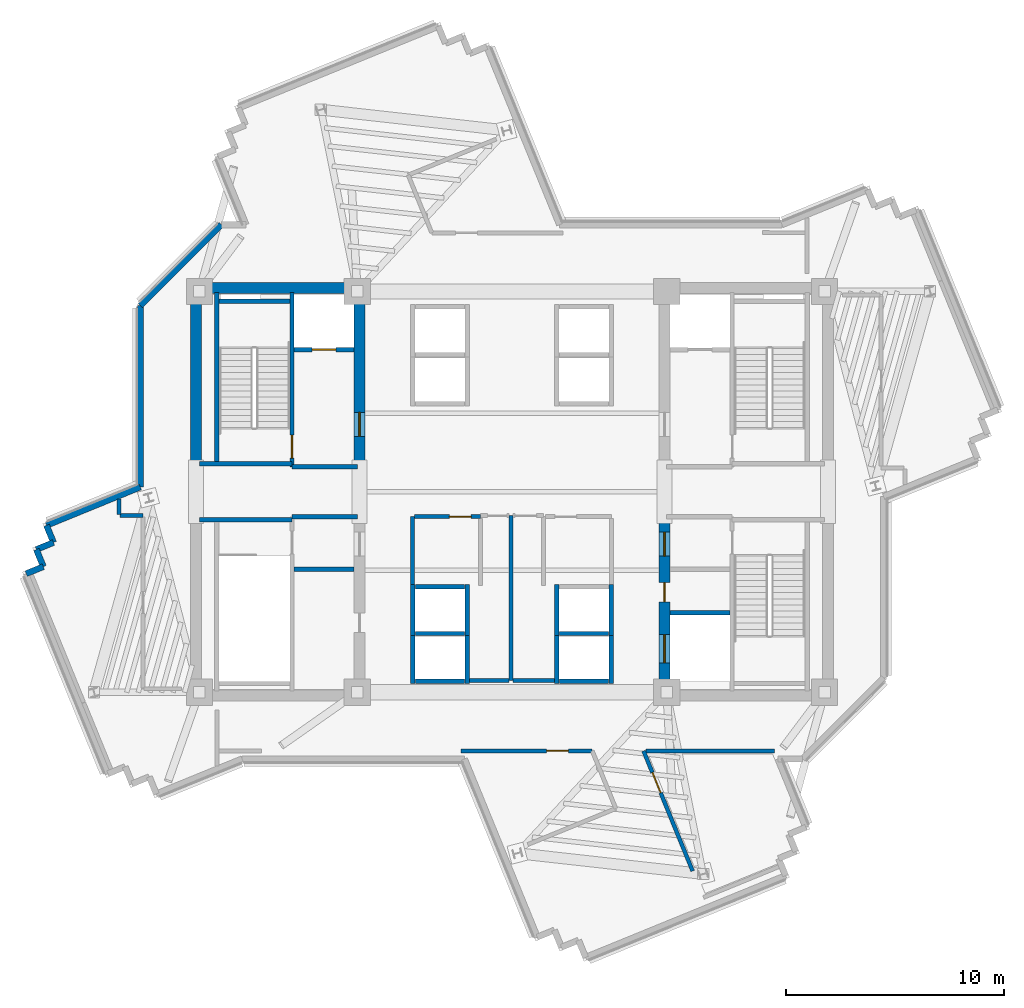
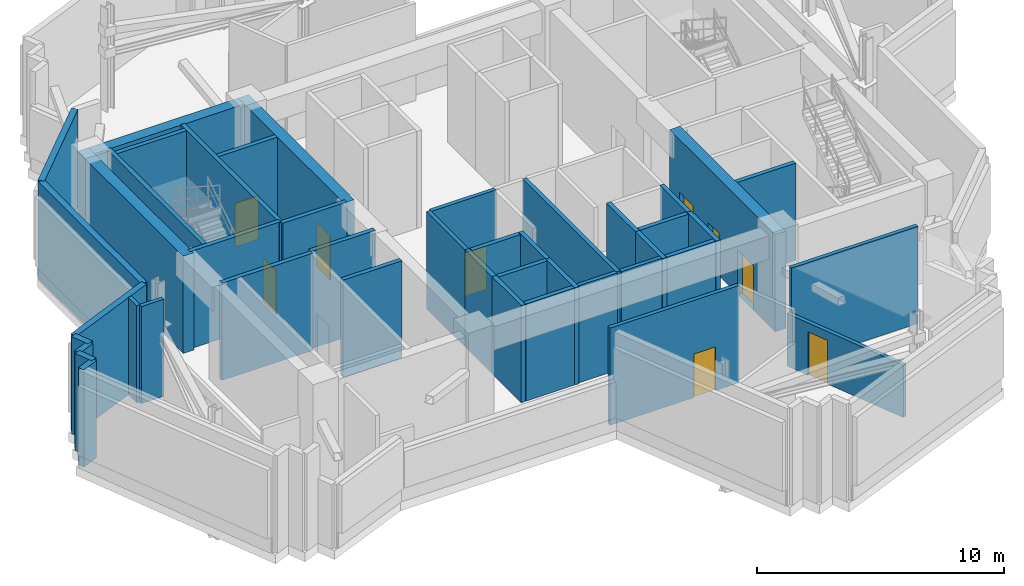
# One storey, part 4 of 11: 44 walls, 9 doors, 9 openings.
"""IFC4 building model written with IfcOpenShell, lengths in metres."""

from ifc_helpers import new_model, si_unit, direction, frame, frame_2d, origin, place, context, subcontext, project, spatial, rectangle, extrude, source, transform, mapped, material, layer, layer_set, type_object, element, fill, save


model = new_model("IFC4")

# Units and contexts
model_context = context("Model", 3, precision=1e-05, world=origin(), true_north=direction((0.0, 1.0)))
body_context = subcontext(model_context, "Body", "Model", "MODEL_VIEW")
ifc_project = project(units=[si_unit("LENGTHUNIT", "METRE"), si_unit("AREAUNIT", "SQUARE_METRE"), si_unit("VOLUMEUNIT", "CUBIC_METRE"), si_unit("PLANEANGLEUNIT", "RADIAN"), si_unit("MASSUNIT", "GRAM", prefix="KILO")], contexts=[model_context])

# Site, building, storey
site_placement = place(None, origin())
site = spatial("IfcSite", under=ifc_project, at=site_placement, CompositionType="ELEMENT")
building_placement = place(site_placement, origin())
building = spatial("IfcBuilding", under=site, at=building_placement, Name="Zahravan Cultural Tower", CompositionType="ELEMENT")
storey_placement = place(building_placement, frame((0.0, 0.0, 229.199951171875)))
storey = spatial("IfcBuildingStorey", under=building, at=storey_placement, Name="L54", CompositionType="ELEMENT", Elevation=229.199951171875)

# Wall, opening, door
ifc_material_1 = material(Name="Concrete C60/75", Category="concrete")
ifc_layer_1 = layer(ifc_material_1, 0.5)
ifc_layer_set_1 = layer_set([ifc_layer_1], Name="Concrete C60/75")
wall_type_1 = type_object("IfcWallType", Name="CW-SHEAR-500-C60", PredefinedType="SHEAR", material=ifc_layer_set_1)
wall_1_placement = place(storey_placement, frame((29.0, 28.050048828125, 0.0), z_axis=(0.0, 0.0, 1.0), x_axis=(0.0, 1.0, 0.0)))
wall_1 = element("IfcWall", 1, at=wall_1_placement, inside=storey, type_object=wall_type_1, Name="L54 Core Shear Wall CW-W-EN-L54", PredefinedType="SHEAR", context=body_context, shape_type="SweptSolid", body=[
    extrude(rectangle(XDim=8.550048828125, YDim=0.5, at=frame_2d((4.27490234375, 0.0))), origin(), (0.0, 0.0, 1.0), 4.800048828125),
])
opening_1_placement = place(wall_1_placement, frame((1.5, 0.0, 0.0)))
opening_1 = element("IfcOpeningElement", 2, at=opening_1_placement, cuts=wall_1, Name="Opening D-L54-05", PredefinedType="OPENING", context=body_context, shape_type="SweptSolid", body=[
    extrude(rectangle(XDim=1.10009765625, YDim=2.199951171875, at=frame_2d((0.550048828125, 1.10009765625))), frame((0.0, 0.260009765625, 0.0), z_axis=(0.0, -1.0, 0.0), x_axis=(1.0, 0.0, 0.0)), (0.0, 0.0, 1.0), 0.52001953125),
])
ifc_material_2 = material(Name="Steel ASTM A572 Grade 50", Category="steel")
door_type_1 = type_object("IfcDoorType", Name="DR-LOBBY-1100", OperationType="NOTDEFINED", PredefinedType="DOOR", material=ifc_material_2)
shared_shape_1 = source(origin(), body_context, "Body", "SweptSolid", [
    extrude(rectangle(XDim=1.10009765625, YDim=2.199951171875, at=frame_2d((0.550048828125, 1.10009765625))), frame((0.0, 0.02490234375, 0.0), z_axis=(0.0, -1.0, 0.0), x_axis=(1.0, 0.0, 0.0)), (0.0, 0.0, 1.0), 0.050048828125),
])
door_1_placement = place(opening_1_placement, origin())
door_1 = element("IfcDoor", 3, at=door_1_placement, inside=storey, type_object=door_type_1, Name="L54 Door D-L54-05", OperationType="SINGLE_SWING_RIGHT", OverallHeight=2.199951171875, OverallWidth=1.10009765625, PredefinedType="DOOR", context=body_context, shape_type="MappedRepresentation", body=[
    mapped(shared_shape_1, transform((0.0, 0.0, 0.0), x_axis=(1.0, 0.0, 0.0), y_axis=(0.0, 1.0, 0.0), z_axis=(0.0, 0.0, 1.0), scale=1.0)),
])
fill(opening_1, door_1)

# Wall, openings, doors
wall_2_placement = place(storey_placement, frame((43.0, 17.39990234375, 0.0), z_axis=(0.0, 0.0, 1.0), x_axis=(0.0, 1.0, 0.0)))
wall_2 = element("IfcWall", 4, at=wall_2_placement, inside=storey, type_object=wall_type_1, Name="L54 Core Shear Wall CW-E-WS-L54", PredefinedType="SHEAR", context=body_context, shape_type="SweptSolid", body=[
    extrude(rectangle(XDim=8.550048828125, YDim=0.5, at=frame_2d((4.27490234375, 0.0))), origin(), (0.0, 0.0, 1.0), 4.800048828125),
])
opening_2_placement = place(wall_2_placement, frame((6.64990234375, 0.0, 0.0)))
opening_2 = element("IfcOpeningElement", 5, at=opening_2_placement, cuts=wall_2, Name="Opening D-L54-08", PredefinedType="OPENING", context=body_context, shape_type="SweptSolid", body=[
    extrude(rectangle(XDim=1.10009765625, YDim=2.199951171875, at=frame_2d((0.550048828125, 1.10009765625))), frame((0.0, 0.260009765625, 0.0), z_axis=(0.0, -1.0, 0.0), x_axis=(1.0, 0.0, 0.0)), (0.0, 0.0, 1.0), 0.52001953125),
])
opening_3_placement = place(wall_2_placement, frame((1.75, 0.0, 0.0)))
opening_3 = element("IfcOpeningElement", 6, at=opening_3_placement, cuts=wall_2, Name="Opening LD-L54-03", PredefinedType="OPENING", context=body_context, shape_type="SweptSolid", body=[
    extrude(rectangle(XDim=1.300048828125, YDim=2.199951171875, at=frame_2d((0.64990234375, 1.10009765625))), frame((0.0, 0.260009765625, 0.0), z_axis=(0.0, -1.0, 0.0), x_axis=(1.0, 0.0, 0.0)), (0.0, 0.0, 1.0), 0.52001953125),
])
opening_4_placement = place(wall_2_placement, frame((4.550048828125, 0.0, 0.0)))
opening_4 = element("IfcOpeningElement", 7, at=opening_4_placement, cuts=wall_2, Name="Opening D-L54-10", PredefinedType="OPENING", context=body_context, shape_type="SweptSolid", body=[
    extrude(rectangle(XDim=0.8798828125, YDim=2.10009765625, at=frame_2d((0.43994140625, 1.050048828125))), frame((0.0, 0.260009765625, 0.0), z_axis=(0.0, -1.0, 0.0), x_axis=(1.0, 0.0, 0.0)), (0.0, 0.0, 1.0), 0.52001953125),
])
door_2_placement = place(opening_2_placement, origin())
door_2 = element("IfcDoor", 8, at=door_2_placement, inside=storey, type_object=door_type_1, Name="L54 Door D-L54-08", OperationType="SINGLE_SWING_LEFT", OverallHeight=2.199951171875, OverallWidth=1.10009765625, PredefinedType="DOOR", context=body_context, shape_type="MappedRepresentation", body=[
    mapped(shared_shape_1, transform((0.0, 0.0, 0.0), x_axis=(1.0, 0.0, 0.0), y_axis=(0.0, 1.0, 0.0), z_axis=(0.0, 0.0, 1.0), scale=1.0)),
])
fill(opening_2, door_2)
door_type_2 = type_object("IfcDoorType", Name="DR-LIFT-1300", OperationType="DOUBLE_DOOR_SLIDING", PredefinedType="DOOR", material=ifc_material_2)
shared_shape_2 = source(origin(), body_context, "Body", "SweptSolid", [
    extrude(rectangle(XDim=1.300048828125, YDim=2.199951171875, at=frame_2d((0.64990234375, 1.10009765625))), frame((0.0, 0.02490234375, 0.0), z_axis=(0.0, -1.0, 0.0), x_axis=(1.0, 0.0, 0.0)), (0.0, 0.0, 1.0), 0.050048828125),
])
door_3_placement = place(opening_3_placement, origin())
door_3 = element("IfcDoor", 9, at=door_3_placement, inside=storey, type_object=door_type_2, Name="L54 Door LD-L54-03", OperationType="DOUBLE_DOOR_SLIDING", OverallHeight=2.199951171875, OverallWidth=1.300048828125, PredefinedType="DOOR", context=body_context, shape_type="MappedRepresentation", body=[
    mapped(shared_shape_2, transform((0.0, 0.0, 0.0), x_axis=(1.0, 0.0, 0.0), y_axis=(0.0, 1.0, 0.0), z_axis=(0.0, 0.0, 1.0), scale=1.0)),
])
fill(opening_3, door_3)
door_type_3 = type_object("IfcDoorType", Name="DR-SVC-880", OperationType="NOTDEFINED", PredefinedType="DOOR", material=ifc_material_2)
shared_shape_3 = source(origin(), body_context, "Body", "SweptSolid", [
    extrude(rectangle(XDim=0.8798828125, YDim=2.10009765625, at=frame_2d((0.43994140625, 1.050048828125))), frame((0.0, 0.02490234375, 0.0), z_axis=(0.0, -1.0, 0.0), x_axis=(1.0, 0.0, 0.0)), (0.0, 0.0, 1.0), 0.050048828125),
])
door_4_placement = place(opening_4_placement, origin())
door_4 = element("IfcDoor", 10, at=door_4_placement, inside=storey, type_object=door_type_3, Name="L54 Door D-L54-10", OperationType="SINGLE_SWING_LEFT", OverallHeight=2.10009765625, OverallWidth=0.8798828125, PredefinedType="DOOR", context=body_context, shape_type="MappedRepresentation", body=[
    mapped(shared_shape_3, transform((0.0, 0.0, 0.0), x_axis=(1.0, 0.0, 0.0), y_axis=(0.0, 1.0, 0.0), z_axis=(0.0, 0.0, 1.0), scale=1.0)),
])
fill(opening_4, door_4)

# Wall, opening, door
ifc_material_3 = material(Name="Gypsum plasterboard partition")
ifc_layer_2 = layer(ifc_material_3, 0.179931640625)
ifc_layer_set_2 = layer_set([ifc_layer_2], Name="Gypsum plasterboard partition")
wall_type_2 = type_object("IfcWallType", Name="W-COMP-180", PredefinedType="PARTITIONING", material=ifc_layer_set_2)
wall_3_placement = place(storey_placement, frame((31.534912109375, 25.860107421875, 0.0), z_axis=(0.0, 0.0, 1.0), x_axis=(1.0, 0.0, 0.0)))
wall_3 = element("IfcWall", 11, at=wall_3_placement, inside=storey, type_object=wall_type_2, Name="L54 Interior Wall 055", PredefinedType="PARTITIONING", context=body_context, shape_type="SweptSolid", body=[
    extrude(rectangle(XDim=3.025146484375, YDim=0.179931640625, at=frame_2d((1.5126953125, 0.0))), origin(), (0.0, 0.0, 1.0), 4.800048828125),
])
opening_5_placement = place(wall_3_placement, frame((1.593505859375, 0.0, 0.0)))
opening_5 = element("IfcOpeningElement", 12, at=opening_5_placement, cuts=wall_3, Name="Opening D-L54-11", PredefinedType="OPENING", context=body_context, shape_type="SweptSolid", body=[
    extrude(rectangle(XDim=1.0, YDim=2.14990234375, at=frame_2d((0.5, 1.074951171875))), frame((0.0, 0.099853515625, 0.0), z_axis=(0.0, -1.0, 0.0), x_axis=(1.0, 0.0, 0.0)), (0.0, 0.0, 1.0), 0.199951171875),
])
door_type_4 = type_object("IfcDoorType", Name="DR-COMP-1000", OperationType="NOTDEFINED", PredefinedType="DOOR", material=ifc_material_2)
shared_shape_4 = source(origin(), body_context, "Body", "SweptSolid", [
    extrude(rectangle(XDim=1.0, YDim=2.14990234375, at=frame_2d((0.5, 1.074951171875))), frame((0.0, 0.02490234375, 0.0), z_axis=(0.0, -1.0, 0.0), x_axis=(1.0, 0.0, 0.0)), (0.0, 0.0, 1.0), 0.050048828125),
])
door_5_placement = place(opening_5_placement, origin())
door_5 = element("IfcDoor", 13, at=door_5_placement, inside=storey, type_object=door_type_4, Name="L54 Door D-L54-11", OperationType="SINGLE_SWING_RIGHT", OverallHeight=2.14990234375, OverallWidth=1.0, PredefinedType="DOOR", context=body_context, shape_type="MappedRepresentation", body=[
    mapped(shared_shape_4, transform((0.0, 0.0, 0.0), x_axis=(1.0, 0.0, 0.0), y_axis=(0.0, 1.0, 0.0), z_axis=(0.0, 0.0, 1.0), scale=1.0)),
])
fill(opening_5, door_5)

wall_4_placement = place(storey_placement, frame((33.665283203125, 15.110107421875, 0.0), z_axis=(0.0, 0.0, 1.0), x_axis=(1.0, 0.0, 0.0)))
wall_4 = element("IfcWall", 14, at=wall_4_placement, inside=storey, type_object=wall_type_2, Name="L54 Interior Wall 069", PredefinedType="PARTITIONING", context=body_context, shape_type="SweptSolid", body=[
    extrude(rectangle(XDim=6.017333984375, YDim=0.179931640625, at=frame_2d((3.0087890625, 0.0))), origin(), (0.0, 0.0, 1.0), 4.800048828125),
])
opening_6_placement = place(wall_4_placement, frame((3.927490234375, 0.0, 0.0)))
opening_6 = element("IfcOpeningElement", 15, at=opening_6_placement, cuts=wall_4, Name="Opening D-L54-17", PredefinedType="OPENING", context=body_context, shape_type="SweptSolid", body=[
    extrude(rectangle(XDim=1.0, YDim=2.14990234375, at=frame_2d((0.5, 1.074951171875))), frame((0.0, 0.099853515625, 0.0), z_axis=(0.0, -1.0, 0.0), x_axis=(1.0, 0.0, 0.0)), (0.0, 0.0, 1.0), 0.199951171875),
])
door_6_placement = place(opening_6_placement, origin())
door_6 = element("IfcDoor", 16, at=door_6_placement, inside=storey, type_object=door_type_4, Name="L54 Door D-L54-17", OperationType="SINGLE_SWING_RIGHT", OverallHeight=2.14990234375, OverallWidth=1.0, PredefinedType="DOOR", context=body_context, shape_type="MappedRepresentation", body=[
    mapped(shared_shape_4, transform((0.0, 0.0, 0.0), x_axis=(1.0, 0.0, 0.0), y_axis=(0.0, 1.0, 0.0), z_axis=(0.0, 0.0, 1.0), scale=1.0)),
])
fill(opening_6, door_6)

wall_5_placement = place(storey_placement, frame((44.2919921875, 9.595703125, 0.0), z_axis=(0.0, 0.0, 1.0), x_axis=(-0.378382300623, 0.925649412345, 0.0)))
wall_5 = element("IfcWall", 17, at=wall_5_placement, inside=storey, type_object=wall_type_2, Name="L54 Interior Wall 072", PredefinedType="PARTITIONING", context=body_context, shape_type="SweptSolid", body=[
    extrude(rectangle(XDim=5.957275390625, YDim=0.179931640625, at=frame_2d((2.978515625, 0.0))), origin(), (0.0, 0.0, 1.0), 2.592041015625),
])
opening_7_placement = place(wall_5_placement, frame((3.880615234375, 0.0, 0.0)))
opening_7 = element("IfcOpeningElement", 18, at=opening_7_placement, cuts=wall_5, Name="Opening D-L54-13", PredefinedType="OPENING", context=body_context, shape_type="SweptSolid", body=[
    extrude(rectangle(XDim=1.0, YDim=2.14990234375, at=frame_2d((0.5, 1.074951171875))), frame((0.0, 0.099853515625, 0.0), z_axis=(0.0, -1.0, 0.0), x_axis=(1.0, 0.0, 0.0)), (0.0, 0.0, 1.0), 0.199951171875),
])
door_7_placement = place(opening_7_placement, origin())
door_7 = element("IfcDoor", 19, at=door_7_placement, inside=storey, type_object=door_type_4, Name="L54 Door D-L54-13", OperationType="SINGLE_SWING_RIGHT", OverallHeight=2.14990234375, OverallWidth=1.0, PredefinedType="DOOR", context=body_context, shape_type="MappedRepresentation", body=[
    mapped(shared_shape_4, transform((0.0, 0.0, 0.0), x_axis=(1.0, 0.0, 0.0), y_axis=(0.0, 1.0, 0.0), z_axis=(0.0, 0.0, 1.0), scale=1.0)),
])
fill(opening_7, door_7)

ifc_material_4 = material(Name="Concrete C45/55", Category="concrete")
ifc_layer_3 = layer(ifc_material_4, 0.199951171875)
ifc_layer_set_3 = layer_set([ifc_layer_3], Name="Concrete C45/55")
wall_type_3 = type_object("IfcWallType", Name="W-SHAFT-200", PredefinedType="SOLIDWALL", material=ifc_layer_set_3)
wall_6_placement = place(storey_placement, frame((25.89990234375, 28.14990234375, 0.0), z_axis=(0.0, 0.0, 1.0), x_axis=(0.0, 1.0, 0.0)))
wall_6 = element("IfcWall", 20, at=wall_6_placement, inside=storey, type_object=wall_type_3, Name="L54 Interior Wall 006", PredefinedType="SOLIDWALL", context=body_context, shape_type="SweptSolid", body=[
    extrude(rectangle(XDim=8.0, YDim=0.199951171875, at=frame_2d((4.0, 0.0))), origin(), (0.0, 0.0, 1.0), 4.800048828125),
])
opening_8_placement = place(wall_6_placement, frame((0.39990234375, 0.0, 0.0)))
opening_8 = element("IfcOpeningElement", 21, at=opening_8_placement, cuts=wall_6, Name="Opening D-L54-01", PredefinedType="OPENING", context=body_context, shape_type="SweptSolid", body=[
    extrude(rectangle(XDim=1.050048828125, YDim=2.14990234375, at=frame_2d((0.52490234375, 1.074951171875))), frame((0.0, 0.10986328125, 0.0), z_axis=(0.0, -1.0, 0.0), x_axis=(1.0, 0.0, 0.0)), (0.0, 0.0, 1.0), 0.219970703125),
])
door_type_5 = type_object("IfcDoorType", Name="DR-STAIR-1050", OperationType="NOTDEFINED", PredefinedType="DOOR", material=ifc_material_2)
shared_shape_5 = source(origin(), body_context, "Body", "SweptSolid", [
    extrude(rectangle(XDim=1.050048828125, YDim=2.14990234375, at=frame_2d((0.52490234375, 1.074951171875))), frame((0.0, 0.02490234375, 0.0), z_axis=(0.0, -1.0, 0.0), x_axis=(1.0, 0.0, 0.0)), (0.0, 0.0, 1.0), 0.050048828125),
])
door_8_placement = place(opening_8_placement, origin())
door_8 = element("IfcDoor", 22, at=door_8_placement, inside=storey, type_object=door_type_5, Name="L54 Door D-L54-01", OperationType="SINGLE_SWING_RIGHT", OverallHeight=2.14990234375, OverallWidth=1.050048828125, PredefinedType="DOOR", context=body_context, shape_type="MappedRepresentation", body=[
    mapped(shared_shape_5, transform((0.0, 0.0, 0.0), x_axis=(1.0, 0.0, 0.0), y_axis=(0.0, 1.0, 0.0), z_axis=(0.0, 0.0, 1.0), scale=1.0)),
])
fill(opening_8, door_8)

wall_7_placement = place(storey_placement, frame((26.0, 33.52001953125, 0.0), z_axis=(0.0, 0.0, 1.0), x_axis=(1.0, 0.0, 0.0)))
wall_7 = element("IfcWall", 23, at=wall_7_placement, inside=storey, type_object=wall_type_3, Name="L54 Interior Wall 021", PredefinedType="SOLIDWALL", context=body_context, shape_type="SweptSolid", body=[
    extrude(rectangle(XDim=2.75, YDim=0.199951171875, at=frame_2d((1.375, 0.0))), origin(), (0.0, 0.0, 1.0), 4.800048828125),
])
opening_9_placement = place(wall_7_placement, frame((0.820068359375, 0.0, 0.0)))
opening_9 = element("IfcOpeningElement", 24, at=opening_9_placement, cuts=wall_7, Name="Opening LD-L54-01", PredefinedType="OPENING", context=body_context, shape_type="SweptSolid", body=[
    extrude(rectangle(XDim=1.10009765625, YDim=2.14990234375, at=frame_2d((0.550048828125, 1.074951171875))), frame((0.0, 0.10986328125, 0.0), z_axis=(0.0, -1.0, 0.0), x_axis=(1.0, 0.0, 0.0)), (0.0, 0.0, 1.0), 0.219970703125),
])
door_type_6 = type_object("IfcDoorType", Name="DR-LIFT-1100", OperationType="DOUBLE_DOOR_SLIDING", PredefinedType="DOOR", material=ifc_material_2)
shared_shape_6 = source(origin(), body_context, "Body", "SweptSolid", [
    extrude(rectangle(XDim=1.10009765625, YDim=2.14990234375, at=frame_2d((0.550048828125, 1.074951171875))), frame((0.0, 0.02490234375, 0.0), z_axis=(0.0, -1.0, 0.0), x_axis=(1.0, 0.0, 0.0)), (0.0, 0.0, 1.0), 0.050048828125),
])
door_9_placement = place(opening_9_placement, origin())
door_9 = element("IfcDoor", 25, at=door_9_placement, inside=storey, type_object=door_type_6, Name="L54 Door LD-L54-01", OperationType="DOUBLE_DOOR_SLIDING", OverallHeight=2.14990234375, OverallWidth=1.10009765625, PredefinedType="DOOR", context=body_context, shape_type="MappedRepresentation", body=[
    mapped(shared_shape_6, transform((0.0, 0.0, 0.0), x_axis=(1.0, 0.0, 0.0), y_axis=(0.0, 1.0, 0.0), z_axis=(0.0, 0.0, 1.0), scale=1.0)),
])
fill(opening_9, door_9)

# Walls
shared_shape_7 = source(origin(), body_context, "Body", "SweptSolid", [
    extrude(rectangle(XDim=8.550048828125, YDim=0.5, at=frame_2d((4.27490234375, 0.0))), origin(), (0.0, 0.0, 1.0), 4.800048828125),
])
wall_8_placement = place(storey_placement, frame((21.5, 28.050048828125, 0.0), z_axis=(0.0, 0.0, 1.0), x_axis=(0.0, 1.0, 0.0)))
element("IfcWall", 26, at=wall_8_placement, inside=storey, type_object=wall_type_1, Name="L54 Core Shear Wall CW-W-WN-L54", PredefinedType="SHEAR", context=body_context, shape_type="MappedRepresentation", body=[
    mapped(shared_shape_7, transform((0.0, 0.0, 0.0), x_axis=(1.0, 0.0, 0.0), y_axis=(0.0, 1.0, 0.0), z_axis=(0.0, 0.0, 1.0), scale=1.0)),
])
shared_shape_8 = source(origin(), body_context, "Body", "SweptSolid", [
    extrude(rectangle(XDim=7.0, YDim=0.5, at=frame_2d((3.5, 0.0))), origin(), (0.0, 0.0, 1.0), 4.800048828125),
])
wall_9_placement = place(storey_placement, frame((21.75, 36.35009765625, 0.0), z_axis=(0.0, 0.0, 1.0), x_axis=(1.0, 0.0, 0.0)))
element("IfcWall", 27, at=wall_9_placement, inside=storey, type_object=wall_type_1, Name="L54 Core Shear Wall CW-W-N-L54", PredefinedType="SHEAR", context=body_context, shape_type="MappedRepresentation", body=[
    mapped(shared_shape_8, transform((0.0, 0.0, 0.0), x_axis=(1.0, 0.0, 0.0), y_axis=(0.0, 1.0, 0.0), z_axis=(0.0, 0.0, 1.0), scale=1.0)),
])
ifc_material_5 = material(Name="Precast concrete C40/50", Category="concrete")
ifc_layer_4 = layer(ifc_material_5, 0.280029296875)
ifc_layer_set_4 = layer_set([ifc_layer_4], Name="Precast concrete C40/50")
wall_type_4 = type_object("IfcWallType", Name="EW-TC-280", PredefinedType="SOLIDWALL", material=ifc_layer_set_4)
shared_shape_9 = source(origin(), body_context, "Body", "SweptSolid", [
    extrude(rectangle(XDim=0.85009765625, YDim=0.280029296875, at=frame_2d((0.425048828125, 0.0))), origin(), (0.0, 0.0, 1.0), 4.800048828125),
])
for number, where, z_axis, x_axis, name in (
    (28, (13.703369140625, 23.244140625, 0.0), (0.0, 0.0, 1.0), (0.925597268944, 0.378509835702, 0.0), "L54 Exterior Masonry Frame Wall 33"),
    (29, (14.955322265625, 24.67431640625, 0.0), (0.0, 0.0, 1.0), (-0.378263755491, 0.925697861768, 0.0), "L54 Exterior Masonry Frame Wall 36"),
):
    element("IfcWall", number, at=place(storey_placement, frame(where, z_axis=z_axis, x_axis=x_axis)), inside=storey, type_object=wall_type_4, Name=name, PredefinedType="SOLIDWALL", context=body_context, shape_type="MappedRepresentation", body=[
        mapped(shared_shape_9, transform((0.0, 0.0, 0.0), x_axis=(1.0, 0.0, 0.0), y_axis=(0.0, 1.0, 0.0), z_axis=(0.0, 0.0, 1.0), scale=1.0)),
    ])
shared_shape_10 = source(origin(), body_context, "Body", "SweptSolid", [
    extrude(rectangle(XDim=0.849853515625, YDim=0.280029296875, at=frame_2d((0.4248046875, 0.0))), origin(), (0.0, 0.0, 1.0), 4.800048828125),
])
for number, where, z_axis, x_axis, name in (
    (30, (14.490234375, 23.56591796875, 0.0), (0.0, 0.0, 1.0), (-0.378364351045, 0.92565674948, 0.0), "L54 Exterior Masonry Frame Wall 34"),
    (31, (14.168701171875, 24.3525390625, 0.0), (0.0, 0.0, 1.0), (0.925556107625, 0.378610474814, 0.0), "L54 Exterior Masonry Frame Wall 35"),
):
    element("IfcWall", number, at=place(storey_placement, frame(where, z_axis=z_axis, x_axis=x_axis)), inside=storey, type_object=wall_type_4, Name=name, PredefinedType="SOLIDWALL", context=body_context, shape_type="MappedRepresentation", body=[
        mapped(shared_shape_10, transform((0.0, 0.0, 0.0), x_axis=(1.0, 0.0, 0.0), y_axis=(0.0, 1.0, 0.0), z_axis=(0.0, 0.0, 1.0), scale=1.0)),
    ])
shared_shape_11 = source(origin(), body_context, "Body", "SweptSolid", [
    extrude(rectangle(XDim=4.65185546875, YDim=0.280029296875, at=frame_2d((2.325927734375, 0.0))), origin(), (0.0, 0.0, 1.0), 4.800048828125),
])
wall_10_placement = place(storey_placement, frame((14.6337890625, 25.461181640625, 0.0), z_axis=(0.0, 0.0, 1.0), x_axis=(0.925667291587, 0.37833855908, 0.0)))
element("IfcWall", 32, at=wall_10_placement, inside=storey, type_object=wall_type_4, Name="L54 Exterior Masonry Frame Wall 37", PredefinedType="SOLIDWALL", context=body_context, shape_type="MappedRepresentation", body=[
    mapped(shared_shape_11, transform((0.0, 0.0, 0.0), x_axis=(1.0, 0.0, 0.0), y_axis=(0.0, 1.0, 0.0), z_axis=(0.0, 0.0, 1.0), scale=1.0)),
])
shared_shape_12 = source(origin(), body_context, "Body", "SweptSolid", [
    extrude(rectangle(XDim=8.32080078125, YDim=0.280029296875, at=frame_2d((4.160400390625, 0.0))), origin(), (0.0, 0.0, 1.0), 4.800048828125),
])
wall_11_placement = place(storey_placement, frame((18.93994140625, 27.22119140625, 0.0), z_axis=(0.0, 0.0, 1.0), x_axis=(0.0, 1.0, 0.0)))
element("IfcWall", 33, at=wall_11_placement, inside=storey, type_object=wall_type_4, Name="L54 Exterior Masonry Frame Wall 38", PredefinedType="SOLIDWALL", context=body_context, shape_type="MappedRepresentation", body=[
    mapped(shared_shape_12, transform((0.0, 0.0, 0.0), x_axis=(1.0, 0.0, 0.0), y_axis=(0.0, 1.0, 0.0), z_axis=(0.0, 0.0, 1.0), scale=1.0)),
])
shared_shape_13 = source(origin(), body_context, "Body", "SweptSolid", [
    extrude(rectangle(XDim=5.258056640625, YDim=0.280029296875, at=frame_2d((2.62890625, 0.0))), origin(), (0.0, 0.0, 1.0), 4.800048828125),
])
wall_12_placement = place(storey_placement, frame((18.93994140625, 35.5419921875, 0.0), z_axis=(0.0, 0.0, 1.0), x_axis=(0.707106781187, 0.707106781187, 0.0)))
element("IfcWall", 34, at=wall_12_placement, inside=storey, type_object=wall_type_4, Name="L54 Exterior Masonry Frame Wall 39", PredefinedType="SOLIDWALL", context=body_context, shape_type="MappedRepresentation", body=[
    mapped(shared_shape_13, transform((0.0, 0.0, 0.0), x_axis=(1.0, 0.0, 0.0), y_axis=(0.0, 1.0, 0.0), z_axis=(0.0, 0.0, 1.0), scale=1.0)),
])
shared_shape_14 = source(origin(), body_context, "Body", "SweptSolid", [
    extrude(rectangle(XDim=7.869873046875, YDim=0.199951171875, at=frame_2d((3.93505859375, 0.0))), origin(), (0.0, 0.0, 1.0), 4.800048828125),
])
wall_13_placement = place(storey_placement, frame((22.449951171875, 28.280029296875, 0.0), z_axis=(0.0, 0.0, 1.0), x_axis=(0.0, 1.0, 0.0)))
element("IfcWall", 35, at=wall_13_placement, inside=storey, type_object=wall_type_3, Name="L54 Interior Wall 002", PredefinedType="SOLIDWALL", context=body_context, shape_type="MappedRepresentation", body=[
    mapped(shared_shape_14, transform((0.0, 0.0, 0.0), x_axis=(1.0, 0.0, 0.0), y_axis=(0.0, 1.0, 0.0), z_axis=(0.0, 0.0, 1.0), scale=1.0)),
])
shared_shape_15 = source(origin(), body_context, "Body", "SweptSolid", [
    extrude(rectangle(XDim=4.25, YDim=0.199951171875, at=frame_2d((2.125, 0.0))), origin(), (0.0, 0.0, 1.0), 4.800048828125),
])
for number, where, z_axis, x_axis, name in (
    (36, (21.64990234375, 25.715087890625, 0.0), (0.0, 0.0, 1.0), (1.0, 0.0, 0.0), "L54 Interior Wall 009"),
    (37, (21.64990234375, 28.284912109375, 0.0), (0.0, 0.0, 1.0), (1.0, 0.0, 0.0), "L54 Interior Wall 011"),
):
    element("IfcWall", number, at=place(storey_placement, frame(where, z_axis=z_axis, x_axis=x_axis)), inside=storey, type_object=wall_type_3, Name=name, PredefinedType="SOLIDWALL", context=body_context, shape_type="MappedRepresentation", body=[
        mapped(shared_shape_15, transform((0.0, 0.0, 0.0), x_axis=(1.0, 0.0, 0.0), y_axis=(0.0, 1.0, 0.0), z_axis=(0.0, 0.0, 1.0), scale=1.0)),
    ])
shared_shape_16 = source(origin(), body_context, "Body", "SweptSolid", [
    extrude(rectangle(XDim=3.0, YDim=0.199951171875, at=frame_2d((1.5, 0.0))), origin(), (0.0, 0.0, 1.0), 4.800048828125),
])
for number, where, z_axis, x_axis, name in (
    (38, (25.89990234375, 25.85009765625, 0.0), (0.0, 0.0, 1.0), (1.0, 0.0, 0.0), "L54 Interior Wall 010"),
    (39, (25.89990234375, 28.14990234375, 0.0), (0.0, 0.0, 1.0), (1.0, 0.0, 0.0), "L54 Interior Wall 012"),
):
    element("IfcWall", number, at=place(storey_placement, frame(where, z_axis=z_axis, x_axis=x_axis)), inside=storey, type_object=wall_type_3, Name=name, PredefinedType="SOLIDWALL", context=body_context, shape_type="MappedRepresentation", body=[
        mapped(shared_shape_16, transform((0.0, 0.0, 0.0), x_axis=(1.0, 0.0, 0.0), y_axis=(0.0, 1.0, 0.0), z_axis=(0.0, 0.0, 1.0), scale=1.0)),
    ])
shared_shape_17 = source(origin(), body_context, "Body", "SweptSolid", [
    extrude(rectangle(XDim=3.25, YDim=0.199951171875, at=frame_2d((1.625, 0.0))), origin(), (0.0, 0.0, 1.0), 4.800048828125),
])
wall_14_placement = place(storey_placement, frame((22.550048828125, 35.75, 0.0), z_axis=(0.0, 0.0, 1.0), x_axis=(1.0, 0.0, 0.0)))
element("IfcWall", 40, at=wall_14_placement, inside=storey, type_object=wall_type_3, Name="L54 Interior Wall 017", PredefinedType="SOLIDWALL", context=body_context, shape_type="MappedRepresentation", body=[
    mapped(shared_shape_17, transform((0.0, 0.0, 0.0), x_axis=(1.0, 0.0, 0.0), y_axis=(0.0, 1.0, 0.0), z_axis=(0.0, 0.0, 1.0), scale=1.0)),
])
shared_shape_18 = source(origin(), body_context, "Body", "SweptSolid", [
    extrude(rectangle(XDim=2.75, YDim=0.199951171875, at=frame_2d((1.375, 0.0))), origin(), (0.0, 0.0, 1.0), 4.800048828125),
])
for number, where, z_axis, x_axis, name in (
    (41, (26.0, 23.449951171875, 0.0), (0.0, 0.0, 1.0), (1.0, 0.0, 0.0), "L54 Interior Wall 023"),
    (42, (43.25, 21.449951171875, 0.0), (0.0, 0.0, 1.0), (1.0, 0.0, 0.0), "L54 Interior Wall 025"),
):
    element("IfcWall", number, at=place(storey_placement, frame(where, z_axis=z_axis, x_axis=x_axis)), inside=storey, type_object=wall_type_3, Name=name, PredefinedType="SOLIDWALL", context=body_context, shape_type="MappedRepresentation", body=[
        mapped(shared_shape_18, transform((0.0, 0.0, 0.0), x_axis=(1.0, 0.0, 0.0), y_axis=(0.0, 1.0, 0.0), z_axis=(0.0, 0.0, 1.0), scale=1.0)),
    ])
shared_shape_19 = source(origin(), body_context, "Body", "SweptSolid", [
    extrude(rectangle(XDim=2.260009765625, YDim=0.199951171875, at=frame_2d((1.1298828125, 0.0))), origin(), (0.0, 0.0, 1.0), 4.800048828125),
])
for number, where, z_axis, x_axis, name in (
    (43, (31.570068359375, 20.5, 0.0), (0.0, 0.0, 1.0), (1.0, 0.0, 0.0), "L54 Interior Wall 042"),
    (44, (31.570068359375, 22.64990234375, 0.0), (0.0, 0.0, 1.0), (1.0, 0.0, 0.0), "L54 Interior Wall 043"),
    (45, (31.570068359375, 18.300048828125, 0.0), (0.0, 0.0, 1.0), (1.0, 0.0, 0.0), "L54 Interior Wall 046"),
    (46, (38.169921875, 20.5, 0.0), (0.0, 0.0, 1.0), (1.0, 0.0, 0.0), "L54 Interior Wall 049"),
    (47, (38.169921875, 18.300048828125, 0.0), (0.0, 0.0, 1.0), (1.0, 0.0, 0.0), "L54 Interior Wall 053"),
):
    element("IfcWall", number, at=place(storey_placement, frame(where, z_axis=z_axis, x_axis=x_axis)), inside=storey, type_object=wall_type_3, Name=name, PredefinedType="SOLIDWALL", context=body_context, shape_type="MappedRepresentation", body=[
        mapped(shared_shape_19, transform((0.0, 0.0, 0.0), x_axis=(1.0, 0.0, 0.0), y_axis=(0.0, 1.0, 0.0), z_axis=(0.0, 0.0, 1.0), scale=1.0)),
    ])
shared_shape_20 = source(origin(), body_context, "Body", "SweptSolid", [
    extrude(rectangle(XDim=2.35009765625, YDim=0.199951171875, at=frame_2d((1.175048828125, 0.0))), origin(), (0.0, 0.0, 1.0), 4.800048828125),
])
for number, where, z_axis, x_axis, name in (
    (48, (31.449951171875, 20.39990234375, 0.0), (0.0, 0.0, 1.0), (0.0, 1.0, 0.0), "L54 Interior Wall 040"),
    (49, (33.949951171875, 20.39990234375, 0.0), (0.0, 0.0, 1.0), (0.0, 1.0, 0.0), "L54 Interior Wall 041"),
    (50, (31.449951171875, 18.199951171875, 0.0), (0.0, 0.0, 1.0), (0.0, 1.0, 0.0), "L54 Interior Wall 044"),
    (51, (33.949951171875, 18.199951171875, 0.0), (0.0, 0.0, 1.0), (0.0, 1.0, 0.0), "L54 Interior Wall 045"),
    (52, (38.050048828125, 20.39990234375, 0.0), (0.0, 0.0, 1.0), (0.0, 1.0, 0.0), "L54 Interior Wall 047"),
    (53, (40.550048828125, 20.39990234375, 0.0), (0.0, 0.0, 1.0), (0.0, 1.0, 0.0), "L54 Interior Wall 048"),
    (54, (38.050048828125, 18.199951171875, 0.0), (0.0, 0.0, 1.0), (0.0, 1.0, 0.0), "L54 Interior Wall 051"),
    (55, (40.550048828125, 18.199951171875, 0.0), (0.0, 0.0, 1.0), (0.0, 1.0, 0.0), "L54 Interior Wall 052"),
):
    element("IfcWall", number, at=place(storey_placement, frame(where, z_axis=z_axis, x_axis=x_axis)), inside=storey, type_object=wall_type_3, Name=name, PredefinedType="SOLIDWALL", context=body_context, shape_type="MappedRepresentation", body=[
        mapped(shared_shape_20, transform((0.0, 0.0, 0.0), x_axis=(1.0, 0.0, 0.0), y_axis=(0.0, 1.0, 0.0), z_axis=(0.0, 0.0, 1.0), scale=1.0)),
    ])
shared_shape_21 = source(origin(), body_context, "Body", "SweptSolid", [
    extrude(rectangle(XDim=1.81005859375, YDim=0.179931640625, at=frame_2d((0.905029296875, 0.0))), origin(), (0.0, 0.0, 1.0), 4.800048828125),
])
wall_15_placement = place(storey_placement, frame((35.864990234375, 18.340087890625, 0.0), z_axis=(0.0, 0.0, 1.0), x_axis=(-1.0, 0.0, 0.0)))
element("IfcWall", 56, at=wall_15_placement, inside=storey, type_object=wall_type_2, Name="L54 Interior Wall 061", PredefinedType="PARTITIONING", context=body_context, shape_type="MappedRepresentation", body=[
    mapped(shared_shape_21, transform((0.0, 0.0, 0.0), x_axis=(1.0, 0.0, 0.0), y_axis=(0.0, 1.0, 0.0), z_axis=(0.0, 0.0, 1.0), scale=1.0)),
])
shared_shape_22 = source(origin(), body_context, "Body", "SweptSolid", [
    extrude(rectangle(XDim=3.110107421875, YDim=0.179931640625, at=frame_2d((1.55517578125, 0.0))), origin(), (0.0, 0.0, 1.0), 4.800048828125),
])
wall_16_placement = place(storey_placement, frame((31.43994140625, 22.75, 0.0), z_axis=(0.0, 0.0, 1.0), x_axis=(0.0, 1.0, 0.0)))
element("IfcWall", 57, at=wall_16_placement, inside=storey, type_object=wall_type_2, Name="L54 Interior Wall 054", PredefinedType="PARTITIONING", context=body_context, shape_type="MappedRepresentation", body=[
    mapped(shared_shape_22, transform((0.0, 0.0, 0.0), x_axis=(1.0, 0.0, 0.0), y_axis=(0.0, 1.0, 0.0), z_axis=(0.0, 0.0, 1.0), scale=1.0)),
])
shared_shape_23 = source(origin(), body_context, "Body", "SweptSolid", [
    extrude(rectangle(XDim=7.56982421875, YDim=0.179931640625, at=frame_2d((3.784912109375, 0.0))), origin(), (0.0, 0.0, 1.0), 4.800048828125),
])
wall_17_placement = place(storey_placement, frame((35.9599609375, 25.909912109375, 0.0), z_axis=(0.0, 0.0, 1.0), x_axis=(0.0, -1.0, 0.0)))
element("IfcWall", 58, at=wall_17_placement, inside=storey, type_object=wall_type_2, Name="L54 Interior Wall 060", PredefinedType="PARTITIONING", context=body_context, shape_type="MappedRepresentation", body=[
    mapped(shared_shape_23, transform((0.0, 0.0, 0.0), x_axis=(1.0, 0.0, 0.0), y_axis=(0.0, 1.0, 0.0), z_axis=(0.0, 0.0, 1.0), scale=1.0)),
])
shared_shape_24 = source(origin(), body_context, "Body", "SweptSolid", [
    extrude(rectangle(XDim=1.89013671875, YDim=0.179931640625, at=frame_2d((0.945068359375, 0.0))), origin(), (0.0, 0.0, 1.0), 4.800048828125),
])
wall_18_placement = place(storey_placement, frame((37.945068359375, 18.340087890625, 0.0), z_axis=(0.0, 0.0, 1.0), x_axis=(-1.0, 0.0, 0.0)))
element("IfcWall", 59, at=wall_18_placement, inside=storey, type_object=wall_type_2, Name="L54 Interior Wall 063", PredefinedType="PARTITIONING", context=body_context, shape_type="MappedRepresentation", body=[
    mapped(shared_shape_24, transform((0.0, 0.0, 0.0), x_axis=(1.0, 0.0, 0.0), y_axis=(0.0, 1.0, 0.0), z_axis=(0.0, 0.0, 1.0), scale=1.0)),
])
shared_shape_25 = source(origin(), body_context, "Body", "SweptSolid", [
    extrude(rectangle(XDim=5.914794921875, YDim=0.179931640625, at=frame_2d((2.95751953125, 0.0))), origin(), (0.0, 0.0, 1.0), 4.800048828125),
])
wall_19_placement = place(storey_placement, frame((42.140380859375, 15.110107421875, 0.0), z_axis=(0.0, 0.0, 1.0), x_axis=(1.0, 0.0, 0.0)))
element("IfcWall", 60, at=wall_19_placement, inside=storey, type_object=wall_type_2, Name="L54 Interior Wall 073", PredefinedType="PARTITIONING", context=body_context, shape_type="MappedRepresentation", body=[
    mapped(shared_shape_25, transform((0.0, 0.0, 0.0), x_axis=(1.0, 0.0, 0.0), y_axis=(0.0, 1.0, 0.0), z_axis=(0.0, 0.0, 1.0), scale=1.0)),
])
shared_shape_26 = source(origin(), body_context, "Body", "SweptSolid", [
    extrude(rectangle(XDim=0.70654296875, YDim=0.179931640625, at=frame_2d((0.353271484375, 0.0))), origin(), (0.0, 0.0, 1.0), 4.800048828125),
])
wall_20_placement = place(storey_placement, frame((17.9599609375, 26.6640625, 0.0), z_axis=(0.0, 0.0, 1.0), x_axis=(0.0, -1.0, 0.0)))
element("IfcWall", 61, at=wall_20_placement, inside=storey, type_object=wall_type_2, Name="L54 Interior Wall 086", PredefinedType="PARTITIONING", context=body_context, shape_type="MappedRepresentation", body=[
    mapped(shared_shape_26, transform((0.0, 0.0, 0.0), x_axis=(1.0, 0.0, 0.0), y_axis=(0.0, 1.0, 0.0), z_axis=(0.0, 0.0, 1.0), scale=1.0)),
])
shared_shape_27 = source(origin(), body_context, "Body", "SweptSolid", [
    extrude(rectangle(XDim=1.05419921875, YDim=0.179931640625, at=frame_2d((0.527099609375, 0.0))), origin(), (0.0, 0.0, 1.0), 4.800048828125),
])
wall_21_placement = place(storey_placement, frame((18.005859375, 25.909912109375, 0.0), z_axis=(0.0, 0.0, 1.0), x_axis=(1.0, 0.0, 0.0)))
element("IfcWall", 62, at=wall_21_placement, inside=storey, type_object=wall_type_2, Name="L54 Interior Wall 087", PredefinedType="PARTITIONING", context=body_context, shape_type="MappedRepresentation", body=[
    mapped(shared_shape_27, transform((0.0, 0.0, 0.0), x_axis=(1.0, 0.0, 0.0), y_axis=(0.0, 1.0, 0.0), z_axis=(0.0, 0.0, 1.0), scale=1.0)),
])

save(model, "model.ifc")
